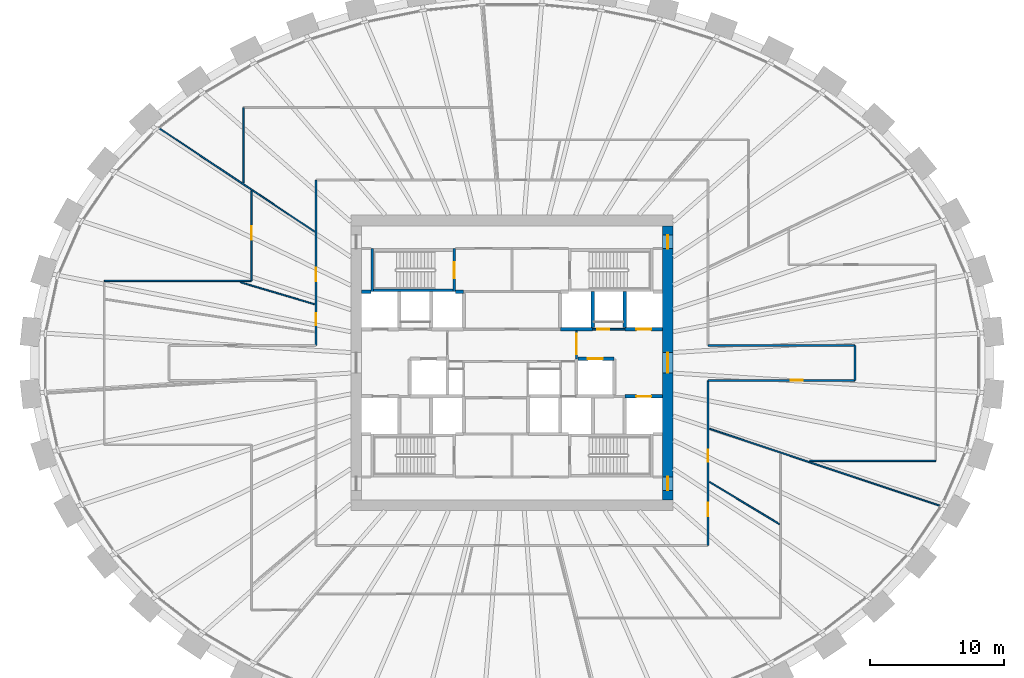
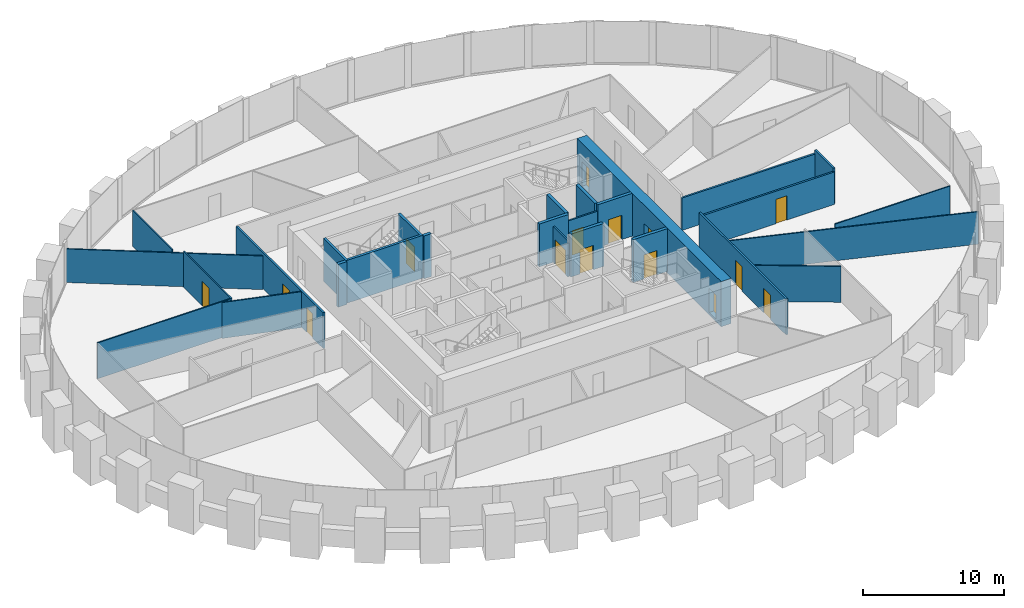
# One storey, part 8 of 11: 27 walls, 15 doors, 15 openings.
"""IFC4 building model written with IfcOpenShell, lengths in metres."""

from ifc_helpers import new_model, si_unit, direction, frame, frame_2d, origin, place, context, subcontext, project, spatial, rectangle, extrude, source, transform, mapped, material, layer, layer_set, type_object, element, fill, save


model = new_model("IFC4")

# Units and contexts
model_context = context("Model", 3, precision=1e-05, world=origin(), true_north=direction((0.0, 1.0)))
body_context = subcontext(model_context, "Body", "Model", "MODEL_VIEW")
ifc_project = project(units=[si_unit("LENGTHUNIT", "METRE"), si_unit("AREAUNIT", "SQUARE_METRE"), si_unit("VOLUMEUNIT", "CUBIC_METRE"), si_unit("PLANEANGLEUNIT", "RADIAN"), si_unit("MASSUNIT", "GRAM", prefix="KILO")], contexts=[model_context])

# Site, building, storey
site_placement = place(None, origin())
site = spatial("IfcSite", under=ifc_project, at=site_placement, CompositionType="ELEMENT")
building_placement = place(site_placement, origin())
building = spatial("IfcBuilding", under=site, at=building_placement, Name="Embergate Tower", CompositionType="ELEMENT")
storey_placement = place(building_placement, frame((0.0, 0.0, 203.39990234375)))
storey = spatial("IfcBuildingStorey", under=building, at=storey_placement, Name="L46", CompositionType="ELEMENT", Elevation=203.39990234375)

# Wall, openings, doors
ifc_material_1 = material(Name="Concrete C70", Category="concrete")
ifc_layer_1 = layer(ifc_material_1, 0.800048828125)
ifc_layer_set_1 = layer_set([ifc_layer_1], Name="Concrete C70")
wall_type_1 = type_object("IfcWallType", Name="Core outer wall C70 800", PredefinedType="SHEAR", material=ifc_layer_set_1)
shared_shape_1 = source(origin(), body_context, "Body", "SweptSolid", [
    extrude(rectangle(XDim=20.39990234375, YDim=0.800048828125, at=frame_2d((10.199951171875, 0.0))), origin(), (0.0, 0.0, 1.0), 3.900146484375),
])
wall_1_placement = place(storey_placement, frame((11.60009765625, -10.199951171875, -0.199951171875), z_axis=(0.0, 0.0, 1.0), x_axis=(0.0, 1.0, 0.0)))
wall_1 = element("IfcWall", 1, at=wall_1_placement, inside=storey, type_object=wall_type_1, Name="CW-L46-E", PredefinedType="SHEAR", context=body_context, shape_type="MappedRepresentation", body=[
    mapped(shared_shape_1, transform((0.0, 0.0, 0.0))),
])
shared_shape_2 = source(origin(), body_context, "Body", "SweptSolid", [
    extrude(rectangle(XDim=1.0, YDim=2.10009765625, at=frame_2d((0.5, 1.050048828125))), frame((0.0, 0.409912109375, 0.0), z_axis=(0.0, -1.0, 0.0), x_axis=(1.0, 0.0, 0.0)), (0.0, 0.0, 1.0), 0.820068359375),
])
opening_1_placement = place(wall_1_placement, frame((18.699951171875, 0.0, 0.199951171875)))
opening_1 = element("IfcOpeningElement", 2, at=opening_1_placement, cuts=wall_1, Name="Opening IF-1d", PredefinedType="OPENING", context=body_context, shape_type="MappedRepresentation", body=[
    mapped(shared_shape_2, transform((0.0, 0.0, 0.0))),
])
opening_2_placement = place(wall_1_placement, frame((0.699951171875, 0.0, 0.199951171875)))
opening_2 = element("IfcOpeningElement", 3, at=opening_2_placement, cuts=wall_1, Name="Opening IF-1d", PredefinedType="OPENING", context=body_context, shape_type="MappedRepresentation", body=[
    mapped(shared_shape_2, transform((0.0, 0.0, 0.0))),
])
shared_shape_3 = source(origin(), body_context, "Body", "SweptSolid", [
    extrude(rectangle(XDim=1.5, YDim=2.10009765625, at=frame_2d((0.75, 1.050048828125))), frame((0.0, 0.409912109375, 0.0), z_axis=(0.0, -1.0, 0.0), x_axis=(1.0, 0.0, 0.0)), (0.0, 0.0, 1.0), 0.820068359375),
])
opening_3_placement = place(wall_1_placement, frame((9.449951171875, 0.0, 0.199951171875)))
opening_3 = element("IfcOpeningElement", 4, at=opening_3_placement, cuts=wall_1, Name="Opening IF-3", PredefinedType="OPENING", context=body_context, shape_type="MappedRepresentation", body=[
    mapped(shared_shape_3, transform((0.0, 0.0, 0.0))),
])
ifc_material_2 = material(Name="Lobby fire door pair 1500")
door_type_1 = type_object("IfcDoorType", Name="Lobby fire door pair 1500", OperationType="DOUBLE_DOOR_SINGLE_SWING", PredefinedType="DOOR", material=ifc_material_2)
shared_shape_4 = source(origin(), body_context, "Body", "SweptSolid", [
    extrude(rectangle(XDim=1.5, YDim=2.10009765625, at=frame_2d((0.75, 1.050048828125))), frame((0.0, 0.02490234375, 0.0), z_axis=(0.0, -1.0, 0.0), x_axis=(1.0, 0.0, 0.0)), (0.0, 0.0, 1.0), 0.050048828125),
])
door_1_placement = place(opening_3_placement, origin())
door_1 = element("IfcDoor", 5, at=door_1_placement, inside=storey, type_object=door_type_1, Name="IF-3 door", OperationType="DOUBLE_DOOR_SINGLE_SWING", OverallHeight=2.10009765625, OverallWidth=1.5, PredefinedType="DOOR", context=body_context, shape_type="MappedRepresentation", body=[
    mapped(shared_shape_4, transform((0.0, 0.0, 0.0))),
])
fill(opening_3, door_1)
ifc_material_3 = material(Name="Escape fire door 1000")
door_type_2 = type_object("IfcDoorType", Name="Escape fire door 1000", OperationType="SINGLE_SWING_LEFT", PredefinedType="DOOR", material=ifc_material_3)
shared_shape_5 = source(origin(), body_context, "Body", "SweptSolid", [
    extrude(rectangle(XDim=1.0, YDim=2.10009765625, at=frame_2d((0.5, 1.050048828125))), frame((0.0, 0.02490234375, 0.0), z_axis=(0.0, -1.0, 0.0), x_axis=(1.0, 0.0, 0.0)), (0.0, 0.0, 1.0), 0.050048828125),
])
door_2_placement = place(opening_1_placement, origin())
door_2 = element("IfcDoor", 6, at=door_2_placement, inside=storey, type_object=door_type_2, Name="IF-1 door", OperationType="SINGLE_SWING_LEFT", OverallHeight=2.10009765625, OverallWidth=1.0, PredefinedType="DOOR", context=body_context, shape_type="MappedRepresentation", body=[
    mapped(shared_shape_5, transform((0.0, 0.0, 0.0))),
])
fill(opening_1, door_2)
door_3_placement = place(opening_2_placement, origin())
door_3 = element("IfcDoor", 7, at=door_3_placement, inside=storey, type_object=door_type_2, Name="IF-1 door", OperationType="SINGLE_SWING_RIGHT", OverallHeight=2.10009765625, OverallWidth=1.0, PredefinedType="DOOR", context=body_context, shape_type="MappedRepresentation", body=[
    mapped(shared_shape_5, transform((0.0, 0.0, 0.0))),
])
fill(opening_2, door_3)

# Wall, opening, door
ifc_material_4 = material(Name="Core partition blockwork 120")
ifc_layer_2 = layer(ifc_material_4, 0.1201171875)
ifc_layer_set_2 = layer_set([ifc_layer_2], Name="Core partition blockwork 120")
wall_type_2 = type_object("IfcWallType", Name="Core partition blockwork 120", PredefinedType="PARTITIONING", material=ifc_layer_set_2)
shared_shape_6 = source(origin(), body_context, "Body", "SweptSolid", [
    extrude(rectangle(XDim=2.074951171875, YDim=0.1201171875, at=frame_2d((1.03759765625, 0.0))), origin(), (0.0, 0.0, 1.0), 3.10009765625),
])
wall_2_placement = place(storey_placement, frame((4.800048828125, 0.300048828125, 0.0), z_axis=(0.0, 0.0, 1.0), x_axis=(0.0, 1.0, 0.0)))
wall_2 = element("IfcWall", 8, at=wall_2_placement, inside=storey, type_object=wall_type_2, Name="IP-3 wall", PredefinedType="PARTITIONING", context=body_context, shape_type="MappedRepresentation", body=[
    mapped(shared_shape_6, transform((0.0, 0.0, 0.0))),
])
shared_shape_7 = source(origin(), body_context, "Body", "SweptSolid", [
    extrude(rectangle(XDim=1.5, YDim=2.10009765625, at=frame_2d((0.75, 1.050048828125))), frame((0.0, 0.070068359375, 0.0), z_axis=(0.0, -1.0, 0.0), x_axis=(1.0, 0.0, 0.0)), (0.0, 0.0, 1.0), 0.14013671875),
])
opening_4_placement = place(wall_2_placement, frame((0.35009765625, 0.0, 0.0)))
opening_4 = element("IfcOpeningElement", 9, at=opening_4_placement, cuts=wall_2, Name="Opening IF-3", PredefinedType="OPENING", context=body_context, shape_type="MappedRepresentation", body=[
    mapped(shared_shape_7, transform((0.0, 0.0, 0.0))),
])
door_4_placement = place(opening_4_placement, origin())
door_4 = element("IfcDoor", 10, at=door_4_placement, inside=storey, type_object=door_type_1, Name="IF-3 door", OperationType="DOUBLE_DOOR_SINGLE_SWING", OverallHeight=2.10009765625, OverallWidth=1.5, PredefinedType="DOOR", context=body_context, shape_type="MappedRepresentation", body=[
    mapped(shared_shape_4, transform((0.0, 0.0, 0.0))),
])
fill(opening_4, door_4)

# Walls
ifc_material_5 = material(Name="Concrete C50", Category="concrete")
ifc_layer_3 = layer(ifc_material_5, 0.25)
ifc_layer_set_3 = layer_set([ifc_layer_3], Name="Concrete C50")
wall_type_3 = type_object("IfcWallType", Name="Hoistway wall reinforced concrete 250", PredefinedType="SHEAR", material=ifc_layer_set_3)
shared_shape_8 = source(origin(), body_context, "Body", "SweptSolid", [
    extrude(rectangle(XDim=2.675048828125, YDim=0.25, at=frame_2d((1.33740234375, 0.0))), origin(), (0.0, 0.0, 1.0), 3.7001953125),
])
for number, where, z_axis, x_axis, name in (
    (11, (6.0, 2.625, 0.0), (0.0, 0.0, 1.0), (0.0, 1.0, 0.0), "HW-1 wall"),
    (12, (8.39990234375, 2.625, 0.0), (0.0, 0.0, 1.0), (0.0, 1.0, 0.0), "HW-1 wall"),
):
    element("IfcWall", number, at=place(storey_placement, frame(where, z_axis=z_axis, x_axis=x_axis)), inside=storey, type_object=wall_type_3, Name=name, PredefinedType="SHEAR", context=body_context, shape_type="MappedRepresentation", body=[
        mapped(shared_shape_8, transform((0.0, 0.0, 0.0))),
    ])

# Wall, opening, door
wall_3_placement = place(storey_placement, frame((7.60009765625, 0.300048828125, 0.0), z_axis=(0.0, 0.0, 1.0), x_axis=(-1.0, 0.0, 0.0)))
wall_3 = element("IfcWall", 13, at=wall_3_placement, inside=storey, type_object=wall_type_3, Name="HW-1 wall", PredefinedType="SHEAR", context=body_context, shape_type="MappedRepresentation", body=[
    mapped(shared_shape_8, transform((0.0, 0.0, 0.0))),
])
shared_shape_9 = source(origin(), body_context, "Body", "SweptSolid", [
    extrude(rectangle(XDim=1.10009765625, YDim=2.10009765625, at=frame_2d((0.550048828125, 1.050048828125))), frame((0.0, 0.135009765625, 0.0), z_axis=(0.0, -1.0, 0.0), x_axis=(1.0, 0.0, 0.0)), (0.0, 0.0, 1.0), 0.27001953125),
])
opening_5_placement = place(wall_3_placement, frame((0.85009765625, 0.0, 0.0)))
opening_5 = element("IfcOpeningElement", 14, at=opening_5_placement, cuts=wall_3, Name="Opening LD", PredefinedType="OPENING", context=body_context, shape_type="MappedRepresentation", body=[
    mapped(shared_shape_9, transform((0.0, 0.0, 0.0))),
])
ifc_material_6 = material(Name="Landing door sliding 1100")
door_type_3 = type_object("IfcDoorType", Name="Landing door sliding 1100", OperationType="SLIDING_TO_LEFT", PredefinedType="DOOR", material=ifc_material_6)
shared_shape_10 = source(origin(), body_context, "Body", "SweptSolid", [
    extrude(rectangle(XDim=1.10009765625, YDim=2.10009765625, at=frame_2d((0.550048828125, 1.050048828125))), frame((0.0, 0.02490234375, 0.0), z_axis=(0.0, -1.0, 0.0), x_axis=(1.0, 0.0, 0.0)), (0.0, 0.0, 1.0), 0.050048828125),
])
door_5_placement = place(opening_5_placement, origin())
door_5 = element("IfcDoor", 15, at=door_5_placement, inside=storey, type_object=door_type_3, Name="LD door", OperationType="SLIDING_TO_RIGHT", OverallHeight=2.10009765625, OverallWidth=1.10009765625, PredefinedType="DOOR", context=body_context, shape_type="MappedRepresentation", body=[
    mapped(shared_shape_10, transform((0.0, 0.0, 0.0))),
])
fill(opening_5, door_5)

# Wall
ifc_layer_4 = layer(ifc_material_5, 0.199951171875)
ifc_layer_set_4 = layer_set([ifc_layer_4], Name="Concrete C50")
wall_type_4 = type_object("IfcWallType", Name="Stair enclosure wall reinforced concrete 250", PredefinedType="SHEAR", material=ifc_layer_set_4)
shared_shape_11 = source(origin(), body_context, "Body", "SweptSolid", [
    extrude(rectangle(XDim=6.300048828125, YDim=0.199951171875, at=frame_2d((3.14990234375, 0.0))), origin(), (0.0, 0.0, 1.0), 3.7001953125),
])
wall_4_placement = place(storey_placement, frame((-4.199951171875, 5.39990234375, 0.0), z_axis=(0.0, 0.0, 1.0), x_axis=(-1.0, 0.0, 0.0)))
element("IfcWall", 16, at=wall_4_placement, inside=storey, type_object=wall_type_4, Name="SE-1 wall", PredefinedType="SHEAR", context=body_context, shape_type="MappedRepresentation", body=[
    mapped(shared_shape_11, transform((0.0, 0.0, 0.0))),
])

# Wall, opening, door
shared_shape_12 = source(origin(), body_context, "Body", "SweptSolid", [
    extrude(rectangle(XDim=3.199951171875, YDim=0.199951171875, at=frame_2d((1.60009765625, 0.0))), origin(), (0.0, 0.0, 1.0), 3.7001953125),
])
wall_5_placement = place(storey_placement, frame((-4.300048828125, 5.300048828125, 0.0), z_axis=(0.0, 0.0, 1.0), x_axis=(0.0, 1.0, 0.0)))
wall_5 = element("IfcWall", 17, at=wall_5_placement, inside=storey, type_object=wall_type_4, Name="SE-1 wall", PredefinedType="SHEAR", context=body_context, shape_type="MappedRepresentation", body=[
    mapped(shared_shape_12, transform((0.0, 0.0, 0.0))),
])
shared_shape_13 = source(origin(), body_context, "Body", "SweptSolid", [
    extrude(rectangle(XDim=1.199951171875, YDim=2.10009765625, at=frame_2d((0.60009765625, 1.050048828125))), frame((0.0, 0.10986328125, 0.0), z_axis=(0.0, -1.0, 0.0), x_axis=(1.0, 0.0, 0.0)), (0.0, 0.0, 1.0), 0.219970703125),
])
opening_6_placement = place(wall_5_placement, frame((1.0, 0.0, 0.0)))
opening_6 = element("IfcOpeningElement", 18, at=opening_6_placement, cuts=wall_5, Name="Opening IF-2", PredefinedType="OPENING", context=body_context, shape_type="MappedRepresentation", body=[
    mapped(shared_shape_13, transform((0.0, 0.0, 0.0))),
])
ifc_material_7 = material(Name="Stair enclosure door 1200")
door_type_4 = type_object("IfcDoorType", Name="Stair enclosure door 1200", OperationType="SINGLE_SWING_LEFT", PredefinedType="DOOR", material=ifc_material_7)
shared_shape_14 = source(origin(), body_context, "Body", "SweptSolid", [
    extrude(rectangle(XDim=1.199951171875, YDim=2.10009765625, at=frame_2d((0.60009765625, 1.050048828125))), frame((0.0, 0.02490234375, 0.0), z_axis=(0.0, -1.0, 0.0), x_axis=(1.0, 0.0, 0.0)), (0.0, 0.0, 1.0), 0.050048828125),
])
door_6_placement = place(opening_6_placement, origin())
door_6 = element("IfcDoor", 19, at=door_6_placement, inside=storey, type_object=door_type_4, Name="IF-2 door", OperationType="SINGLE_SWING_LEFT", OverallHeight=2.10009765625, OverallWidth=1.199951171875, PredefinedType="DOOR", context=body_context, shape_type="MappedRepresentation", body=[
    mapped(shared_shape_14, transform((0.0, 0.0, 0.0))),
])
fill(opening_6, door_6)

# Walls
shared_shape_15 = source(origin(), body_context, "Body", "SweptSolid", [
    extrude(rectangle(XDim=2.39990234375, YDim=0.25, at=frame_2d((1.199951171875, 0.0))), origin(), (0.0, 0.0, 1.0), 3.7001953125),
])
wall_6_placement = place(storey_placement, frame((3.60009765625, 2.5, 0.0), z_axis=(0.0, 0.0, 1.0), x_axis=(1.0, 0.0, 0.0)))
element("IfcWall", 20, at=wall_6_placement, inside=storey, type_object=wall_type_3, Name="HW-1 wall", PredefinedType="SHEAR", context=body_context, shape_type="MappedRepresentation", body=[
    mapped(shared_shape_15, transform((0.0, 0.0, 0.0))),
])
ifc_material_8 = material(Name="Corridor wall dry-lined 150")
ifc_layer_5 = layer(ifc_material_8, 0.14990234375)
ifc_layer_set_5 = layer_set([ifc_layer_5], Name="Corridor wall dry-lined 150")
wall_type_5 = type_object("IfcWallType", Name="Corridor wall dry-lined 150", PredefinedType="PARTITIONING", material=ifc_layer_set_5)
shared_shape_16 = source(origin(), body_context, "Body", "SweptSolid", [
    extrude(rectangle(XDim=10.949951171875, YDim=0.14990234375, at=frame_2d((5.47509765625, 0.0))), origin(), (0.0, 0.0, 1.0), 2.800048828125),
])
wall_7_placement = place(storey_placement, frame((14.60009765625, 1.300048828125, 0.0), z_axis=(0.0, 0.0, 1.0), x_axis=(1.0, 0.0, 0.0)))
element("IfcWall", 21, at=wall_7_placement, inside=storey, type_object=wall_type_5, Name="IP-2 wall", PredefinedType="PARTITIONING", context=body_context, shape_type="MappedRepresentation", body=[
    mapped(shared_shape_16, transform((0.0, 0.0, 0.0))),
])

# Wall, opening, door
wall_8_placement = place(storey_placement, frame((25.550048828125, -1.300048828125, 0.0), z_axis=(0.0, 0.0, 1.0), x_axis=(-1.0, 0.0, 0.0)))
wall_8 = element("IfcWall", 22, at=wall_8_placement, inside=storey, type_object=wall_type_5, Name="IP-2 wall", PredefinedType="PARTITIONING", context=body_context, shape_type="MappedRepresentation", body=[
    mapped(shared_shape_16, transform((0.0, 0.0, 0.0))),
])
shared_shape_17 = source(origin(), body_context, "Body", "SweptSolid", [
    extrude(rectangle(XDim=0.89990234375, YDim=2.10009765625, at=frame_2d((0.449951171875, 1.050048828125))), frame((0.0, 0.0849609375, 0.0), z_axis=(0.0, -1.0, 0.0), x_axis=(1.0, 0.0, 0.0)), (0.0, 0.0, 1.0), 0.169921875),
])
opening_7_placement = place(wall_8_placement, frame((3.89111328125, 0.0, 0.0)))
opening_7 = element("IfcOpeningElement", 23, at=opening_7_placement, cuts=wall_8, Name="Opening IF-1c", PredefinedType="OPENING", context=body_context, shape_type="MappedRepresentation", body=[
    mapped(shared_shape_17, transform((0.0, 0.0, 0.0))),
])
ifc_material_9 = material(Name="Escape fire door 900")
door_type_5 = type_object("IfcDoorType", Name="Escape fire door 900", OperationType="SINGLE_SWING_LEFT", PredefinedType="DOOR", material=ifc_material_9)
shared_shape_18 = source(origin(), body_context, "Body", "SweptSolid", [
    extrude(rectangle(XDim=0.89990234375, YDim=2.10009765625, at=frame_2d((0.449951171875, 1.050048828125))), frame((0.0, 0.02490234375, 0.0), z_axis=(0.0, -1.0, 0.0), x_axis=(1.0, 0.0, 0.0)), (0.0, 0.0, 1.0), 0.050048828125),
])
door_7_placement = place(opening_7_placement, origin())
door_7 = element("IfcDoor", 24, at=door_7_placement, inside=storey, type_object=door_type_5, Name="IF-1 door", OperationType="SINGLE_SWING_LEFT", OverallHeight=2.10009765625, OverallWidth=0.89990234375, PredefinedType="DOOR", context=body_context, shape_type="MappedRepresentation", body=[
    mapped(shared_shape_18, transform((0.0, 0.0, 0.0))),
])
fill(opening_7, door_7)

shared_shape_19 = source(origin(), body_context, "Body", "SweptSolid", [
    extrude(rectangle(XDim=2.39990234375, YDim=0.1201171875, at=frame_2d((1.199951171875, 0.0))), origin(), (0.0, 0.0, 1.0), 3.10009765625),
])
wall_9_placement = place(storey_placement, frame((6.0, 2.5, 0.0), z_axis=(0.0, 0.0, 1.0), x_axis=(1.0, 0.0, 0.0)))
wall_9 = element("IfcWall", 25, at=wall_9_placement, inside=storey, type_object=wall_type_2, Name="IP-3 wall", PredefinedType="PARTITIONING", context=body_context, shape_type="MappedRepresentation", body=[
    mapped(shared_shape_19, transform((0.0, 0.0, 0.0))),
])
shared_shape_20 = source(origin(), body_context, "Body", "SweptSolid", [
    extrude(rectangle(XDim=0.89990234375, YDim=2.10009765625, at=frame_2d((0.449951171875, 1.050048828125))), frame((0.0, 0.070068359375, 0.0), z_axis=(0.0, -1.0, 0.0), x_axis=(1.0, 0.0, 0.0)), (0.0, 0.0, 1.0), 0.14013671875),
])
opening_8_placement = place(wall_9_placement, frame((0.35009765625, 0.0, 0.0)))
opening_8 = element("IfcOpeningElement", 26, at=opening_8_placement, cuts=wall_9, Name="Opening ID-1", PredefinedType="OPENING", context=body_context, shape_type="MappedRepresentation", body=[
    mapped(shared_shape_20, transform((0.0, 0.0, 0.0))),
])
ifc_material_10 = material(Name="Interior door 900")
door_type_6 = type_object("IfcDoorType", Name="Interior door 900", OperationType="SINGLE_SWING_LEFT", PredefinedType="DOOR", material=ifc_material_10)
door_8_placement = place(opening_8_placement, origin())
door_8 = element("IfcDoor", 27, at=door_8_placement, inside=storey, type_object=door_type_6, Name="ID-1 door", OperationType="SINGLE_SWING_RIGHT", OverallHeight=2.10009765625, OverallWidth=0.89990234375, PredefinedType="DOOR", context=body_context, shape_type="MappedRepresentation", body=[
    mapped(shared_shape_18, transform((0.0, 0.0, 0.0))),
])
fill(opening_8, door_8)

shared_shape_21 = source(origin(), body_context, "Body", "SweptSolid", [
    extrude(rectangle(XDim=2.800048828125, YDim=0.25, at=frame_2d((1.39990234375, 0.0))), origin(), (0.0, 0.0, 1.0), 3.7001953125),
])
wall_10_placement = place(storey_placement, frame((8.39990234375, 2.5, 0.0), z_axis=(0.0, 0.0, 1.0), x_axis=(1.0, 0.0, 0.0)))
wall_10 = element("IfcWall", 28, at=wall_10_placement, inside=storey, type_object=wall_type_3, Name="HW-1 wall", PredefinedType="SHEAR", context=body_context, shape_type="MappedRepresentation", body=[
    mapped(shared_shape_21, transform((0.0, 0.0, 0.0))),
])
opening_9_placement = place(wall_10_placement, frame((0.85009765625, 0.0, 0.0)))
opening_9 = element("IfcOpeningElement", 29, at=opening_9_placement, cuts=wall_10, Name="Opening LD", PredefinedType="OPENING", context=body_context, shape_type="MappedRepresentation", body=[
    mapped(shared_shape_9, transform((0.0, 0.0, 0.0))),
])
door_9_placement = place(opening_9_placement, origin())
door_9 = element("IfcDoor", 30, at=door_9_placement, inside=storey, type_object=door_type_3, Name="LD door", OperationType="SLIDING_TO_LEFT", OverallHeight=2.10009765625, OverallWidth=1.10009765625, PredefinedType="DOOR", context=body_context, shape_type="MappedRepresentation", body=[
    mapped(shared_shape_10, transform((0.0, 0.0, 0.0))),
])
fill(opening_9, door_9)

wall_11_placement = place(storey_placement, frame((11.199951171875, -2.5, 0.0), z_axis=(0.0, 0.0, 1.0), x_axis=(-1.0, 0.0, 0.0)))
wall_11 = element("IfcWall", 31, at=wall_11_placement, inside=storey, type_object=wall_type_3, Name="HW-1 wall", PredefinedType="SHEAR", context=body_context, shape_type="MappedRepresentation", body=[
    mapped(shared_shape_21, transform((0.0, 0.0, 0.0))),
])
opening_10_placement = place(wall_11_placement, frame((0.85009765625, 0.0, 0.0)))
opening_10 = element("IfcOpeningElement", 32, at=opening_10_placement, cuts=wall_11, Name="Opening LD", PredefinedType="OPENING", context=body_context, shape_type="MappedRepresentation", body=[
    mapped(shared_shape_9, transform((0.0, 0.0, 0.0))),
])
door_10_placement = place(opening_10_placement, origin())
door_10 = element("IfcDoor", 33, at=door_10_placement, inside=storey, type_object=door_type_3, Name="LD door", OperationType="SLIDING_TO_LEFT", OverallHeight=2.10009765625, OverallWidth=1.10009765625, PredefinedType="DOOR", context=body_context, shape_type="MappedRepresentation", body=[
    mapped(shared_shape_10, transform((0.0, 0.0, 0.0))),
])
fill(opening_10, door_10)

# Walls
shared_shape_22 = source(origin(), body_context, "Body", "SweptSolid", [
    extrude(rectangle(XDim=0.599853515625, YDim=0.25, at=frame_2d((0.2998046875, 0.0))), origin(), (0.0, 0.0, 1.0), 3.7001953125),
])
wall_12_placement = place(storey_placement, frame((-3.60009765625, 5.300048828125, 0.0), z_axis=(0.0, 0.0, 1.0), x_axis=(-1.0, 0.0, 0.0)))
element("IfcWall", 34, at=wall_12_placement, inside=storey, type_object=wall_type_3, Name="HW-1 wall", PredefinedType="SHEAR", context=body_context, shape_type="MappedRepresentation", body=[
    mapped(shared_shape_22, transform((0.0, 0.0, 0.0))),
])
shared_shape_23 = source(origin(), body_context, "Body", "SweptSolid", [
    extrude(rectangle(XDim=3.196044921875, YDim=0.199951171875, at=frame_2d((1.59814453125, 0.0))), origin(), (0.0, 0.0, 1.0), 3.7001953125),
])
wall_13_placement = place(storey_placement, frame((-10.39990234375, 8.498046875, 0.0), z_axis=(0.0, 0.0, 1.0), x_axis=(0.0, -1.0, 0.0)))
element("IfcWall", 35, at=wall_13_placement, inside=storey, type_object=wall_type_4, Name="SE-1 wall", PredefinedType="SHEAR", context=body_context, shape_type="MappedRepresentation", body=[
    mapped(shared_shape_23, transform((0.0, 0.0, 0.0))),
])
shared_shape_24 = source(origin(), body_context, "Body", "SweptSolid", [
    extrude(rectangle(XDim=0.697998046875, YDim=0.25, at=frame_2d((0.34912109375, 0.0))), origin(), (0.0, 0.0, 1.0), 3.7001953125),
])
wall_14_placement = place(storey_placement, frame((-10.501953125, 5.300048828125, 0.0), z_axis=(0.0, 0.0, 1.0), x_axis=(-1.0, 0.0, 0.0)))
element("IfcWall", 36, at=wall_14_placement, inside=storey, type_object=wall_type_3, Name="HW-1 wall", PredefinedType="SHEAR", context=body_context, shape_type="MappedRepresentation", body=[
    mapped(shared_shape_24, transform((0.0, 0.0, 0.0))),
])
ifc_material_11 = material(Name="Partition dry-lined 100")
ifc_layer_6 = layer(ifc_material_11, 0.10009765625)
ifc_layer_set_6 = layer_set([ifc_layer_6], Name="Partition dry-lined 100")
wall_type_6 = type_object("IfcWallType", Name="Partition dry-lined 100", PredefinedType="PARTITIONING", material=ifc_layer_set_6)
shared_shape_25 = source(origin(), body_context, "Body", "SweptSolid", [
    extrude(rectangle(XDim=10.9501953125, YDim=0.10009765625, at=frame_2d((5.47509765625, 0.0))), origin(), (0.0, 0.0, 1.0), 3.10009765625),
])
wall_15_placement = place(storey_placement, frame((-30.35009765625, 6.10009765625, 0.0), z_axis=(0.0, 0.0, 1.0), x_axis=(1.0, 0.0, 0.0)))
element("IfcWall", 37, at=wall_15_placement, inside=storey, type_object=wall_type_6, Name="IP-1 wall", PredefinedType="PARTITIONING", context=body_context, shape_type="MappedRepresentation", body=[
    mapped(shared_shape_25, transform((0.0, 0.0, 0.0))),
])

# Wall, openings, doors
shared_shape_26 = source(origin(), body_context, "Body", "SweptSolid", [
    extrude(rectangle(XDim=12.300048828125, YDim=0.14990234375, at=frame_2d((6.14990234375, 0.0))), origin(), (0.0, 0.0, 1.0), 3.10009765625),
])
wall_16_placement = place(storey_placement, frame((14.60009765625, -1.300048828125, 0.0), z_axis=(0.0, 0.0, 1.0), x_axis=(0.0, -1.0, 0.0)))
wall_16 = element("IfcWall", 38, at=wall_16_placement, inside=storey, type_object=wall_type_5, Name="IP-2 wall", PredefinedType="PARTITIONING", context=body_context, shape_type="MappedRepresentation", body=[
    mapped(shared_shape_26, transform((0.0, 0.0, 0.0))),
])
shared_shape_27 = source(origin(), body_context, "Body", "SweptSolid", [
    extrude(rectangle(XDim=1.0, YDim=2.10009765625, at=frame_2d((0.5, 1.050048828125))), frame((0.0, 0.0849609375, 0.0), z_axis=(0.0, -1.0, 0.0), x_axis=(1.0, 0.0, 0.0)), (0.0, 0.0, 1.0), 0.169921875),
])
opening_11_placement = place(wall_16_placement, frame((9.116943359375, 0.0, 0.0)))
opening_11 = element("IfcOpeningElement", 39, at=opening_11_placement, cuts=wall_16, Name="Opening ID-2", PredefinedType="OPENING", context=body_context, shape_type="MappedRepresentation", body=[
    mapped(shared_shape_27, transform((0.0, 0.0, 0.0))),
])
opening_12_placement = place(wall_16_placement, frame((5.1650390625, 0.0, 0.0)))
opening_12 = element("IfcOpeningElement", 40, at=opening_12_placement, cuts=wall_16, Name="Opening IF-1c", PredefinedType="OPENING", context=body_context, shape_type="MappedRepresentation", body=[
    mapped(shared_shape_17, transform((0.0, 0.0, 0.0))),
])
door_11_placement = place(opening_12_placement, origin())
door_11 = element("IfcDoor", 41, at=door_11_placement, inside=storey, type_object=door_type_5, Name="IF-1 door", OperationType="SINGLE_SWING_RIGHT", OverallHeight=2.10009765625, OverallWidth=0.89990234375, PredefinedType="DOOR", context=body_context, shape_type="MappedRepresentation", body=[
    mapped(shared_shape_18, transform((0.0, 0.0, 0.0))),
])
fill(opening_12, door_11)
ifc_material_12 = material(Name="Interior door 1000")
door_type_7 = type_object("IfcDoorType", Name="Interior door 1000", OperationType="SINGLE_SWING_LEFT", PredefinedType="DOOR", material=ifc_material_12)
door_12_placement = place(opening_11_placement, origin())
door_12 = element("IfcDoor", 42, at=door_12_placement, inside=storey, type_object=door_type_7, Name="ID-2 door", OperationType="SINGLE_SWING_RIGHT", OverallHeight=2.10009765625, OverallWidth=1.0, PredefinedType="DOOR", context=body_context, shape_type="MappedRepresentation", body=[
    mapped(shared_shape_5, transform((0.0, 0.0, 0.0))),
])
fill(opening_11, door_12)

wall_17_placement = place(storey_placement, frame((-14.60009765625, 1.300048828125, 0.0), z_axis=(0.0, 0.0, 1.0), x_axis=(0.0, 1.0, 0.0)))
wall_17 = element("IfcWall", 43, at=wall_17_placement, inside=storey, type_object=wall_type_5, Name="IP-2 wall", PredefinedType="PARTITIONING", context=body_context, shape_type="MappedRepresentation", body=[
    mapped(shared_shape_26, transform((0.0, 0.0, 0.0))),
])
opening_13_placement = place(wall_17_placement, frame((4.76611328125, 0.0, 0.0)))
opening_13 = element("IfcOpeningElement", 44, at=opening_13_placement, cuts=wall_17, Name="Opening ID-2", PredefinedType="OPENING", context=body_context, shape_type="MappedRepresentation", body=[
    mapped(shared_shape_27, transform((0.0, 0.0, 0.0))),
])
opening_14_placement = place(wall_17_placement, frame((1.47998046875, 0.0, 0.0)))
opening_14 = element("IfcOpeningElement", 45, at=opening_14_placement, cuts=wall_17, Name="Opening IF-1c", PredefinedType="OPENING", context=body_context, shape_type="MappedRepresentation", body=[
    mapped(shared_shape_17, transform((0.0, 0.0, 0.0))),
])
door_13_placement = place(opening_14_placement, origin())
door_13 = element("IfcDoor", 46, at=door_13_placement, inside=storey, type_object=door_type_5, Name="IF-1 door", OperationType="SINGLE_SWING_RIGHT", OverallHeight=2.10009765625, OverallWidth=0.89990234375, PredefinedType="DOOR", context=body_context, shape_type="MappedRepresentation", body=[
    mapped(shared_shape_18, transform((0.0, 0.0, 0.0))),
])
fill(opening_14, door_13)
door_14_placement = place(opening_13_placement, origin())
door_14 = element("IfcDoor", 47, at=door_14_placement, inside=storey, type_object=door_type_7, Name="ID-2 door", OperationType="SINGLE_SWING_RIGHT", OverallHeight=2.10009765625, OverallWidth=1.0, PredefinedType="DOOR", context=body_context, shape_type="MappedRepresentation", body=[
    mapped(shared_shape_5, transform((0.0, 0.0, 0.0))),
])
fill(opening_13, door_14)

# Walls
shared_shape_28 = source(origin(), body_context, "Body", "SweptSolid", [
    extrude(rectangle(XDim=2.60009765625, YDim=0.14990234375, at=frame_2d((1.300048828125, 0.0))), origin(), (0.0, 0.0, 1.0), 3.10009765625),
])
wall_18_placement = place(storey_placement, frame((25.550048828125, 1.300048828125, 0.0), z_axis=(0.0, 0.0, 1.0), x_axis=(0.0, -1.0, 0.0)))
element("IfcWall", 48, at=wall_18_placement, inside=storey, type_object=wall_type_5, Name="IP-2 wall", PredefinedType="PARTITIONING", context=body_context, shape_type="MappedRepresentation", body=[
    mapped(shared_shape_28, transform((0.0, 0.0, 0.0))),
])
shared_shape_29 = source(origin(), body_context, "Body", "SweptSolid", [
    extrude(rectangle(XDim=6.10009765625, YDim=0.10009765625, at=frame_2d((3.050048828125, 0.0))), origin(), (0.0, 0.0, 1.0), 3.10009765625),
])
wall_19_placement = place(storey_placement, frame((14.700927734375, -8.868896484375, 0.0), z_axis=(0.0, 0.0, 1.0), x_axis=(0.856243821977, -0.516571889794, 0.0)))
element("IfcWall", 49, at=wall_19_placement, inside=storey, type_object=wall_type_6, Name="IP-1 wall", PredefinedType="PARTITIONING", context=body_context, shape_type="MappedRepresentation", body=[
    mapped(shared_shape_29, transform((0.0, 0.0, 0.0))),
])
shared_shape_30 = source(origin(), body_context, "Body", "SweptSolid", [
    extrude(rectangle(XDim=18.179443359375, YDim=0.10009765625, at=frame_2d((9.08984375, 0.0))), origin(), (0.0, 0.0, 1.0), 2.800048828125),
])
wall_20_placement = place(storey_placement, frame((31.93408203125, -10.666015625, 0.0), z_axis=(0.0, 0.0, 1.0), x_axis=(-0.948496463159, 0.316787719735, 0.0)))
element("IfcWall", 50, at=wall_20_placement, inside=storey, type_object=wall_type_6, Name="IP-1 wall", PredefinedType="PARTITIONING", context=body_context, shape_type="MappedRepresentation", body=[
    mapped(shared_shape_30, transform((0.0, 0.0, 0.0))),
])
shared_shape_31 = source(origin(), body_context, "Body", "SweptSolid", [
    extrude(rectangle(XDim=9.386962890625, YDim=0.10009765625, at=frame_2d((4.693359375, 0.0))), origin(), (0.0, 0.0, 1.0), 3.10009765625),
])
wall_21_placement = place(storey_placement, frame((31.550048828125, -7.300048828125, 0.0), z_axis=(0.0, 0.0, 1.0), x_axis=(-1.0, 0.0, 0.0)))
element("IfcWall", 51, at=wall_21_placement, inside=storey, type_object=wall_type_6, Name="IP-1 wall", PredefinedType="PARTITIONING", context=body_context, shape_type="MappedRepresentation", body=[
    mapped(shared_shape_31, transform((0.0, 0.0, 0.0))),
])
shared_shape_32 = source(origin(), body_context, "Body", "SweptSolid", [
    extrude(rectangle(XDim=5.610107421875, YDim=0.10009765625, at=frame_2d((2.80517578125, 0.0))), origin(), (0.0, 0.0, 1.0), 3.10009765625),
])
wall_22_placement = place(storey_placement, frame((-20.0, 13.389892578125, 0.0), z_axis=(0.0, 0.0, 1.0), x_axis=(0.0, 1.0, 0.0)))
element("IfcWall", 52, at=wall_22_placement, inside=storey, type_object=wall_type_6, Name="IP-1 wall", PredefinedType="PARTITIONING", context=body_context, shape_type="MappedRepresentation", body=[
    mapped(shared_shape_32, transform((0.0, 0.0, 0.0))),
])
shared_shape_33 = source(origin(), body_context, "Body", "SweptSolid", [
    extrude(rectangle(XDim=5.77978515625, YDim=0.10009765625, at=frame_2d((2.889892578125, 0.0))), origin(), (0.0, 0.0, 1.0), 3.10009765625),
])
wall_23_placement = place(storey_placement, frame((-14.68896484375, 4.35791015625, 0.0), z_axis=(0.0, 0.0, 1.0), x_axis=(-0.95869151175, 0.284447860421, 0.0)))
element("IfcWall", 53, at=wall_23_placement, inside=storey, type_object=wall_type_6, Name="IP-1 wall", PredefinedType="PARTITIONING", context=body_context, shape_type="MappedRepresentation", body=[
    mapped(shared_shape_33, transform((0.0, 0.0, 0.0))),
])

# Wall, opening, door
shared_shape_34 = source(origin(), body_context, "Body", "SweptSolid", [
    extrude(rectangle(XDim=6.703857421875, YDim=0.10009765625, at=frame_2d((3.35205078125, 0.0))), origin(), (0.0, 0.0, 1.0), 3.10009765625),
])
wall_24_placement = place(storey_placement, frame((-19.39990234375, 6.10009765625, 0.0), z_axis=(0.0, 0.0, 1.0), x_axis=(0.0, 1.0, 0.0)))
wall_24 = element("IfcWall", 54, at=wall_24_placement, inside=storey, type_object=wall_type_6, Name="IP-1 wall", PredefinedType="PARTITIONING", context=body_context, shape_type="MappedRepresentation", body=[
    mapped(shared_shape_34, transform((0.0, 0.0, 0.0))),
])
shared_shape_35 = source(origin(), body_context, "Body", "SweptSolid", [
    extrude(rectangle(XDim=1.0, YDim=2.10009765625, at=frame_2d((0.5, 1.050048828125))), frame((0.0, 0.06005859375, 0.0), z_axis=(0.0, -1.0, 0.0), x_axis=(1.0, 0.0, 0.0)), (0.0, 0.0, 1.0), 0.1201171875),
])
opening_15_placement = place(wall_24_placement, frame((3.054931640625, 0.0, 0.0)))
opening_15 = element("IfcOpeningElement", 55, at=opening_15_placement, cuts=wall_24, Name="Opening ID-2", PredefinedType="OPENING", context=body_context, shape_type="MappedRepresentation", body=[
    mapped(shared_shape_35, transform((0.0, 0.0, 0.0))),
])
door_15_placement = place(opening_15_placement, origin())
door_15 = element("IfcDoor", 56, at=door_15_placement, inside=storey, type_object=door_type_7, Name="ID-2 door", OperationType="SINGLE_SWING_RIGHT", OverallHeight=2.10009765625, OverallWidth=1.0, PredefinedType="DOOR", context=body_context, shape_type="MappedRepresentation", body=[
    mapped(shared_shape_5, transform((0.0, 0.0, 0.0))),
])
fill(opening_15, door_15)

# Wall
shared_shape_36 = source(origin(), body_context, "Body", "SweptSolid", [
    extrude(rectangle(XDim=13.9443359375, YDim=0.10009765625, at=frame_2d((6.97216796875, 0.0))), origin(), (0.0, 0.0, 1.0), 2.900146484375),
])
wall_25_placement = place(storey_placement, frame((-14.702880859375, 9.77490234375, 0.0), z_axis=(0.0, 0.0, 1.0), x_axis=(-0.832749965449, 0.553649252726, 0.0)))
element("IfcWall", 57, at=wall_25_placement, inside=storey, type_object=wall_type_6, Name="IP-1 wall", PredefinedType="PARTITIONING", context=body_context, shape_type="MappedRepresentation", body=[
    mapped(shared_shape_36, transform((0.0, 0.0, 0.0))),
])

save(model, "model.ifc")
